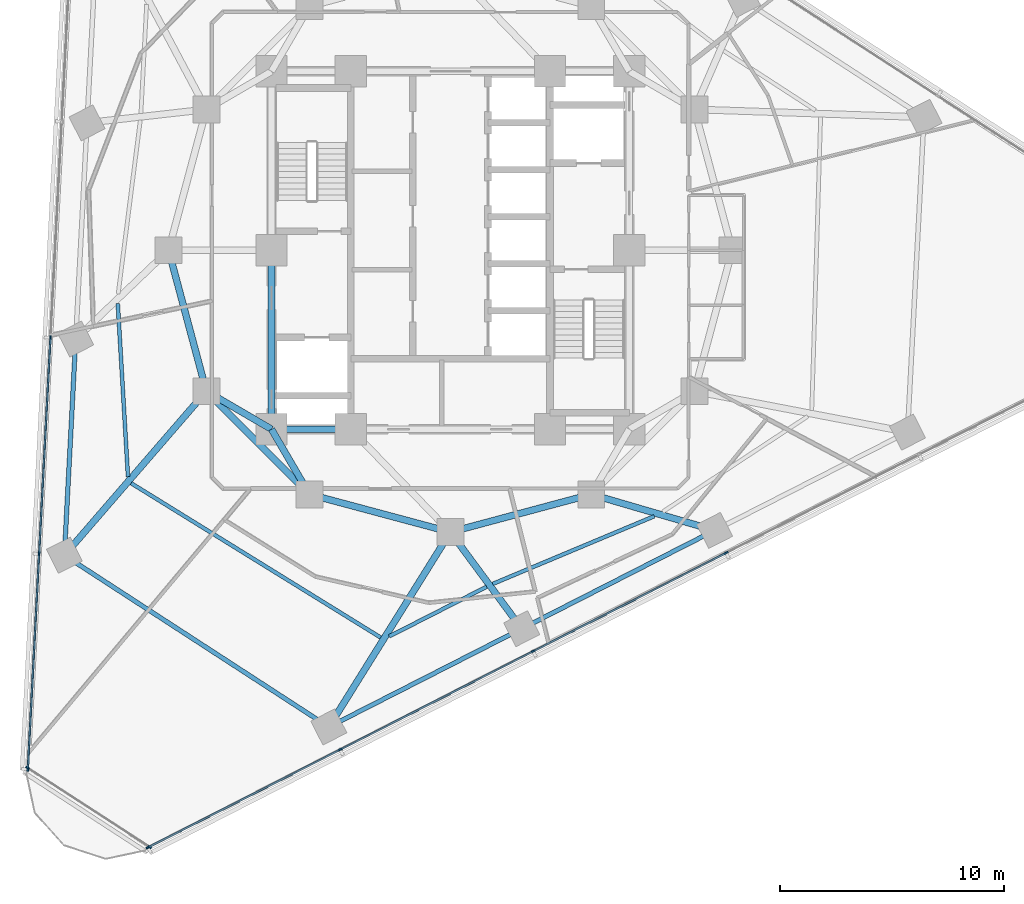
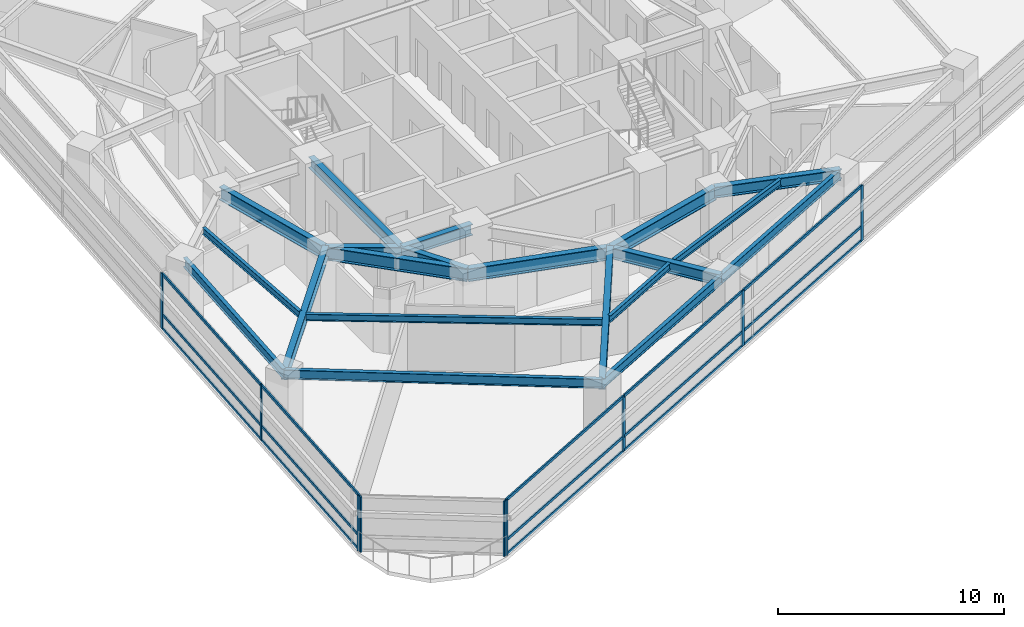
# One storey, part 2 of 14: 24 members, 20 beams, 3 elements without a shape of their own.
"""IFC4 building model written with IfcOpenShell, lengths in metres."""

from ifc_helpers import new_model, si_unit, direction, frame, origin, origin_2d, place, context, subcontext, project, spatial, rectangle, i_section, extrude, material, layer, layer_set, material_profile, profile_set, type_object, element, aggregate, save


model = new_model("IFC4")

# Units and contexts
model_context = context("Model", 3, precision=1e-05, world=origin(), true_north=direction((0.0, 1.0)))
body_context = subcontext(model_context, "Body", "Model", "MODEL_VIEW")
ifc_project = project(units=[si_unit("LENGTHUNIT", "METRE"), si_unit("AREAUNIT", "SQUARE_METRE"), si_unit("VOLUMEUNIT", "CUBIC_METRE"), si_unit("PLANEANGLEUNIT", "RADIAN"), si_unit("MASSUNIT", "GRAM", prefix="KILO")], contexts=[model_context])

# Site, building, storey
site_placement = place(None, origin())
site = spatial("IfcSite", under=ifc_project, at=site_placement, CompositionType="ELEMENT")
building_placement = place(site_placement, origin())
building = spatial("IfcBuilding", under=site, at=building_placement, Name="Terralouvre Media Tower", CompositionType="ELEMENT")
storey_placement = place(building_placement, frame((0.0, 0.0, 127.300048828125)))
storey = spatial("IfcBuildingStorey", under=building, at=storey_placement, Name="L32", CompositionType="ELEMENT", Elevation=127.300048828125)

# Beams
ifc_material_1 = material(Name="Structural steel S355J2", Category="steel")
ifc_material_profile_1 = material_profile(ifc_material_1, i_section(OverallWidth=0.169921875, OverallDepth=0.360107421875, WebThickness=0.008056640625, FlangeThickness=0.0126953125, at=origin_2d()), Name="IPE 360")
ifc_profile_set_1 = profile_set([ifc_material_profile_1], Name="Structural steel S355J2")
beam_type_1 = type_object("IfcBeamType", Name="Composite Floor Joist J-IPE360 (IPE 360)", PredefinedType="JOIST", material=ifc_profile_set_1)
beam_1_placement = place(storey_placement, frame((-14.872314453125, -2.377197265625, 3.320068359375), z_axis=(0.058878824525, -0.998265137137, 0.0), x_axis=(0.998265137137, 0.058878824525, 0.0)))
element("IfcBeam", 1, at=beam_1_placement, inside=storey, type_object=beam_type_1, Name="L32 Framing Beam JT-L32-01", PredefinedType="JOIST", context=body_context, shape_type="SweptSolid", body=[
    extrude(i_section(OverallWidth=0.169921875, OverallDepth=0.360107421875, WebThickness=0.008056640625, FlangeThickness=0.0126953125, at=origin_2d()), origin(), (0.0, 0.0, 1.0), 7.758056640625),
])
beam_2_placement = place(storey_placement, frame((-14.275390625, -10.413330078125, 3.320068359375), z_axis=(0.850512534705, -0.525954777818, 0.0), x_axis=(0.525954777818, 0.850512534705, 0.0)))
element("IfcBeam", 2, at=beam_2_placement, inside=storey, type_object=beam_type_1, Name="L32 Framing Beam JT-L32-02", PredefinedType="JOIST", context=body_context, shape_type="SweptSolid", body=[
    extrude(i_section(OverallWidth=0.169921875, OverallDepth=0.360107421875, WebThickness=0.008056640625, FlangeThickness=0.0126953125, at=origin_2d()), origin(), (0.0, 0.0, 1.0), 13.118896484375),
])
beam_3_placement = place(storey_placement, frame((-2.732666015625, -17.260986328125, 3.320068359375), z_axis=(0.891002879415, 0.453997652939, 0.0), x_axis=(-0.453997652939, 0.891002879415, 0.0)))
element("IfcBeam", 3, at=beam_3_placement, inside=storey, type_object=beam_type_1, Name="L32 Framing Beam JT-L32-03", PredefinedType="JOIST", context=body_context, shape_type="SweptSolid", body=[
    extrude(i_section(OverallWidth=0.169921875, OverallDepth=0.360107421875, WebThickness=0.008056640625, FlangeThickness=0.0126953125, at=origin_2d()), origin(), (0.0, 0.0, 1.0), 4.885009765625),
])
beam_4_placement = place(storey_placement, frame((1.89404296875, -14.916259765625, 3.320068359375), z_axis=(0.922254640504, 0.386582951085, 0.0), x_axis=(-0.386582951085, 0.922254640504, 0.0)))
element("IfcBeam", 4, at=beam_4_placement, inside=storey, type_object=beam_type_1, Name="L32 Framing Beam JT-L32-04", PredefinedType="JOIST", context=body_context, shape_type="SweptSolid", body=[
    extrude(i_section(OverallWidth=0.169921875, OverallDepth=0.360107421875, WebThickness=0.008056640625, FlangeThickness=0.0126953125, at=origin_2d()), origin(), (0.0, 0.0, 1.0), 7.8291015625),
])

# Curtain wall, members
ifc_material_2 = material(Name="Low-iron laminated double glazing with solar-control coating", Category="glass")
ifc_layer_1 = layer(ifc_material_2, 0.1650390625, Name="Production Studio Tower Curtain Wall CW-03")
ifc_layer_set_1 = layer_set([ifc_layer_1], Name="Low-iron laminated double glazing with solar-control coating")
curtain_wall_type_1 = type_object("IfcCurtainWallType", Name="Production Studio Tower Curtain Wall CW-03", PredefinedType="NOTDEFINED", material=ifc_layer_set_1)
curtain_wall_1_placement = place(storey_placement, origin())
curtain_wall_1 = element("IfcCurtainWall", 5, at=curtain_wall_1_placement, inside=storey, type_object=curtain_wall_type_1, Name="L32 Facade Curtain Wall F0", PredefinedType="NOTDEFINED")
ifc_material_3 = material(Name="Anodised extruded aluminium 6063-T6", Category="aluminium")
ifc_material_profile_2 = material_profile(ifc_material_3, rectangle(XDim=0.074951171875, YDim=0.14990234375, at=origin_2d()), Name="ALU 75x150")
ifc_profile_set_2 = profile_set([ifc_material_profile_2], Name="Anodised extruded aluminium 6063-T6")
member_type_1 = type_object("IfcMemberType", Name="Curtain-Wall Horizontal Transom TR-150", PredefinedType="USERDEFINED", material=ifc_profile_set_2)
member_1_placement = place(storey_placement, frame((-13.481689453125, -26.680419921875, 0.037353515625), z_axis=(0.891007557644, 0.453988471462, 0.0), x_axis=(-0.453988471462, 0.891007557644, 0.0)))
member_1 = element("IfcMember", 6, at=member_1_placement, type_object=member_type_1, Name="CW-03 transom 1.1", ObjectType="TRANSOM", PredefinedType="USERDEFINED", context=body_context, shape_type="SweptSolid", body=[
    extrude(rectangle(XDim=0.074951171875, YDim=0.14990234375, at=origin_2d()), origin(), (0.0, 0.0, 1.0), 9.5673828125),
])
member_2_placement = place(storey_placement, frame((-13.481689453125, -26.680419921875, 0.800048828125), z_axis=(0.891007557644, 0.453988471462, 0.0), x_axis=(-0.453988471462, 0.891007557644, 0.0)))
member_2 = element("IfcMember", 7, at=member_2_placement, type_object=member_type_1, Name="CW-03 transom 1.2", ObjectType="TRANSOM", PredefinedType="USERDEFINED", context=body_context, shape_type="SweptSolid", body=[
    extrude(rectangle(XDim=0.074951171875, YDim=0.14990234375, at=origin_2d()), origin(), (0.0, 0.0, 1.0), 9.5673828125),
])
member_3_placement = place(storey_placement, frame((-13.481689453125, -26.680419921875, 2.96240234375), z_axis=(0.891007557644, 0.453988471462, 0.0), x_axis=(-0.453988471462, 0.891007557644, 0.0)))
member_3 = element("IfcMember", 8, at=member_3_placement, type_object=member_type_1, Name="CW-03 transom 1.3", ObjectType="TRANSOM", PredefinedType="USERDEFINED", context=body_context, shape_type="SweptSolid", body=[
    extrude(rectangle(XDim=0.074951171875, YDim=0.14990234375, at=origin_2d()), origin(), (0.0, 0.0, 1.0), 9.5673828125),
])
member_4_placement = place(storey_placement, frame((-4.89013671875, -22.302978515625, 0.037353515625), z_axis=(0.891005548508, 0.453992414615, 0.0), x_axis=(-0.453992414615, 0.891005548508, 0.0)))
member_4 = element("IfcMember", 9, at=member_4_placement, type_object=member_type_1, Name="CW-03 transom 2.1", ObjectType="TRANSOM", PredefinedType="USERDEFINED", context=body_context, shape_type="SweptSolid", body=[
    extrude(rectangle(XDim=0.074951171875, YDim=0.14990234375, at=origin_2d()), origin(), (0.0, 0.0, 1.0), 9.60498046875),
])
member_5_placement = place(storey_placement, frame((-4.89013671875, -22.302978515625, 0.800048828125), z_axis=(0.891005548508, 0.453992414615, 0.0), x_axis=(-0.453992414615, 0.891005548508, 0.0)))
member_5 = element("IfcMember", 10, at=member_5_placement, type_object=member_type_1, Name="CW-03 transom 2.2", ObjectType="TRANSOM", PredefinedType="USERDEFINED", context=body_context, shape_type="SweptSolid", body=[
    extrude(rectangle(XDim=0.074951171875, YDim=0.14990234375, at=origin_2d()), origin(), (0.0, 0.0, 1.0), 9.60498046875),
])
member_6_placement = place(storey_placement, frame((-4.89013671875, -22.302978515625, 2.96240234375), z_axis=(0.891005548508, 0.453992414615, 0.0), x_axis=(-0.453992414615, 0.891005548508, 0.0)))
member_6 = element("IfcMember", 11, at=member_6_placement, type_object=member_type_1, Name="CW-03 transom 2.3", ObjectType="TRANSOM", PredefinedType="USERDEFINED", context=body_context, shape_type="SweptSolid", body=[
    extrude(rectangle(XDim=0.074951171875, YDim=0.14990234375, at=origin_2d()), origin(), (0.0, 0.0, 1.0), 9.60498046875),
])
member_7_placement = place(storey_placement, frame((3.734619140625, -17.908203125, 0.037353515625), z_axis=(0.891005548508, 0.453992414615, 0.0), x_axis=(-0.453992414615, 0.891005548508, 0.0)))
member_7 = element("IfcMember", 12, at=member_7_placement, type_object=member_type_1, Name="CW-03 transom 3.1", ObjectType="TRANSOM", PredefinedType="USERDEFINED", context=body_context, shape_type="SweptSolid", body=[
    extrude(rectangle(XDim=0.074951171875, YDim=0.14990234375, at=origin_2d()), origin(), (0.0, 0.0, 1.0), 9.60498046875),
])
member_8_placement = place(storey_placement, frame((3.734619140625, -17.908203125, 0.800048828125), z_axis=(0.891005548508, 0.453992414615, 0.0), x_axis=(-0.453992414615, 0.891005548508, 0.0)))
member_8 = element("IfcMember", 13, at=member_8_placement, type_object=member_type_1, Name="CW-03 transom 3.2", ObjectType="TRANSOM", PredefinedType="USERDEFINED", context=body_context, shape_type="SweptSolid", body=[
    extrude(rectangle(XDim=0.074951171875, YDim=0.14990234375, at=origin_2d()), origin(), (0.0, 0.0, 1.0), 9.60498046875),
])
member_9_placement = place(storey_placement, frame((3.734619140625, -17.908203125, 2.96240234375), z_axis=(0.891005548508, 0.453992414615, 0.0), x_axis=(-0.453992414615, 0.891005548508, 0.0)))
member_9 = element("IfcMember", 14, at=member_9_placement, type_object=member_type_1, Name="CW-03 transom 3.3", ObjectType="TRANSOM", PredefinedType="USERDEFINED", context=body_context, shape_type="SweptSolid", body=[
    extrude(rectangle(XDim=0.074951171875, YDim=0.14990234375, at=origin_2d()), origin(), (0.0, 0.0, 1.0), 9.60498046875),
])

curtain_wall_2_placement = place(storey_placement, origin())
curtain_wall_2 = element("IfcCurtainWall", 15, at=curtain_wall_2_placement, inside=storey, type_object=curtain_wall_type_1, Name="L32 Facade Curtain Wall F2", PredefinedType="NOTDEFINED")
member_10_placement = place(storey_placement, frame((-17.883056640625, -3.947021484375, 0.037353515625), z_axis=(-0.052336036535, -0.998629530547, 0.0), x_axis=(0.998629530547, -0.052336036535, 0.0)))
member_10 = element("IfcMember", 16, at=member_10_placement, type_object=member_type_1, Name="CW-03 transom 4.1", ObjectType="TRANSOM", PredefinedType="USERDEFINED", context=body_context, shape_type="SweptSolid", body=[
    extrude(rectangle(XDim=0.074951171875, YDim=0.14990234375, at=origin_2d()), origin(), (0.0, 0.0, 1.0), 9.60498046875),
])
member_11_placement = place(storey_placement, frame((-17.883056640625, -3.947021484375, 0.800048828125), z_axis=(-0.052336036535, -0.998629530547, 0.0), x_axis=(0.998629530547, -0.052336036535, 0.0)))
member_11 = element("IfcMember", 17, at=member_11_placement, type_object=member_type_1, Name="CW-03 transom 4.2", ObjectType="TRANSOM", PredefinedType="USERDEFINED", context=body_context, shape_type="SweptSolid", body=[
    extrude(rectangle(XDim=0.074951171875, YDim=0.14990234375, at=origin_2d()), origin(), (0.0, 0.0, 1.0), 9.60498046875),
])
member_12_placement = place(storey_placement, frame((-17.883056640625, -3.947021484375, 2.96240234375), z_axis=(-0.052336036535, -0.998629530547, 0.0), x_axis=(0.998629530547, -0.052336036535, 0.0)))
member_12 = element("IfcMember", 18, at=member_12_placement, type_object=member_type_1, Name="CW-03 transom 4.3", ObjectType="TRANSOM", PredefinedType="USERDEFINED", context=body_context, shape_type="SweptSolid", body=[
    extrude(rectangle(XDim=0.074951171875, YDim=0.14990234375, at=origin_2d()), origin(), (0.0, 0.0, 1.0), 9.60498046875),
])
member_13_placement = place(storey_placement, frame((-18.3896484375, -13.61376953125, 0.037353515625), z_axis=(-0.052336504837, -0.998629506004, 0.0), x_axis=(0.998629506004, -0.052336504837, 0.0)))
member_13 = element("IfcMember", 19, at=member_13_placement, type_object=member_type_1, Name="CW-03 transom 5.1", ObjectType="TRANSOM", PredefinedType="USERDEFINED", context=body_context, shape_type="SweptSolid", body=[
    extrude(rectangle(XDim=0.074951171875, YDim=0.14990234375, at=origin_2d()), origin(), (0.0, 0.0, 1.0), 9.567626953125),
])
member_14_placement = place(storey_placement, frame((-18.3896484375, -13.61376953125, 0.800048828125), z_axis=(-0.052336504837, -0.998629506004, 0.0), x_axis=(0.998629506004, -0.052336504837, 0.0)))
member_14 = element("IfcMember", 20, at=member_14_placement, type_object=member_type_1, Name="CW-03 transom 5.2", ObjectType="TRANSOM", PredefinedType="USERDEFINED", context=body_context, shape_type="SweptSolid", body=[
    extrude(rectangle(XDim=0.074951171875, YDim=0.14990234375, at=origin_2d()), origin(), (0.0, 0.0, 1.0), 9.567626953125),
])
member_15_placement = place(storey_placement, frame((-18.3896484375, -13.61376953125, 2.96240234375), z_axis=(-0.052336504837, -0.998629506004, 0.0), x_axis=(0.998629506004, -0.052336504837, 0.0)))
member_15 = element("IfcMember", 21, at=member_15_placement, type_object=member_type_1, Name="CW-03 transom 5.3", ObjectType="TRANSOM", PredefinedType="USERDEFINED", context=body_context, shape_type="SweptSolid", body=[
    extrude(rectangle(XDim=0.074951171875, YDim=0.14990234375, at=origin_2d()), origin(), (0.0, 0.0, 1.0), 9.567626953125),
])

# Member
ifc_material_4 = material(Name="Anodised extruded aluminium 6063-T6", Category="aluminium")
ifc_material_profile_3 = material_profile(ifc_material_4, rectangle(XDim=0.074951171875, YDim=0.179931640625, at=origin_2d()), Name="ALU 75x180")
ifc_profile_set_3 = profile_set([ifc_material_profile_3], Name="Anodised extruded aluminium 6063-T6")
member_type_2 = type_object("IfcMemberType", Name="Curtain-Wall Vertical Mullion ML-180", PredefinedType="MULLION", material=ifc_profile_set_3)
member_16_placement = place(storey_placement, frame((-13.51513671875, -26.697509765625, 0.0), z_axis=(0.0, 0.0, 1.0), x_axis=(-0.4539905449, 0.891006501178, 0.0)))
member_16 = element("IfcMember", 22, at=member_16_placement, type_object=member_type_2, Name="CW-03 mullion 1", PredefinedType="MULLION", context=body_context, shape_type="SweptSolid", body=[
    extrude(rectangle(XDim=0.074951171875, YDim=0.179931640625, at=origin_2d()), origin(), (0.0, 0.0, 1.0), 3.0),
])

member_17_placement = place(storey_placement, frame((-4.923583984375, -22.31982421875, 0.0), z_axis=(0.0, 0.0, 1.0), x_axis=(-0.4539905449, 0.891006501178, 0.0)))
member_17 = element("IfcMember", 23, at=member_17_placement, type_object=member_type_2, Name="CW-03 mullion 2", PredefinedType="MULLION", context=body_context, shape_type="SweptSolid", body=[
    extrude(rectangle(XDim=0.074951171875, YDim=0.179931640625, at=origin_2d()), origin(), (0.0, 0.0, 1.0), 3.0),
])

member_18_placement = place(storey_placement, frame((3.701416015625, -17.92529296875, 0.0), z_axis=(0.0, 0.0, 1.0), x_axis=(-0.4539905449, 0.891006501178, 0.0)))
member_18 = element("IfcMember", 24, at=member_18_placement, type_object=member_type_2, Name="CW-03 mullion 3", PredefinedType="MULLION", context=body_context, shape_type="SweptSolid", body=[
    extrude(rectangle(XDim=0.074951171875, YDim=0.179931640625, at=origin_2d()), origin(), (0.0, 0.0, 1.0), 3.0),
])

member_19_placement = place(storey_placement, frame((12.326171875, -13.530517578125, 0.0), z_axis=(0.0, 0.0, 1.0), x_axis=(-0.4539905449, 0.891006501178, 0.0)))
member_19 = element("IfcMember", 25, at=member_19_placement, type_object=member_type_2, Name="CW-03 mullion 4", PredefinedType="MULLION", context=body_context, shape_type="SweptSolid", body=[
    extrude(rectangle(XDim=0.074951171875, YDim=0.179931640625, at=origin_2d()), origin(), (0.0, 0.0, 1.0), 3.0),
])

aggregate(curtain_wall_1, [member_16, member_17, member_18, member_19, member_1, member_2, member_3, member_4, member_5, member_6, member_7, member_8, member_9])

member_20_placement = place(storey_placement, frame((-17.881103515625, -3.909423828125, 0.0), z_axis=(0.0, 0.0, 1.0), x_axis=(0.998629535089, -0.052335949864, 0.0)))
member_20 = element("IfcMember", 26, at=member_20_placement, type_object=member_type_2, Name="CW-03 mullion 4", PredefinedType="MULLION", context=body_context, shape_type="SweptSolid", body=[
    extrude(rectangle(XDim=0.074951171875, YDim=0.179931640625, at=origin_2d()), origin(), (0.0, 0.0, 1.0), 3.0),
])

member_21_placement = place(storey_placement, frame((-18.3876953125, -13.576171875, 0.0), z_axis=(0.0, 0.0, 1.0), x_axis=(0.998629535089, -0.052335949864, 0.0)))
member_21 = element("IfcMember", 27, at=member_21_placement, type_object=member_type_2, Name="CW-03 mullion 5", PredefinedType="MULLION", context=body_context, shape_type="SweptSolid", body=[
    extrude(rectangle(XDim=0.074951171875, YDim=0.179931640625, at=origin_2d()), origin(), (0.0, 0.0, 1.0), 3.0),
])

member_22_placement = place(storey_placement, frame((-18.892333984375, -23.20556640625, 0.0), z_axis=(0.0, 0.0, 1.0), x_axis=(0.998629535089, -0.052335949864, 0.0)))
member_22 = element("IfcMember", 28, at=member_22_placement, type_object=member_type_2, Name="CW-03 mullion 6", PredefinedType="MULLION", context=body_context, shape_type="SweptSolid", body=[
    extrude(rectangle(XDim=0.074951171875, YDim=0.179931640625, at=origin_2d()), origin(), (0.0, 0.0, 1.0), 3.0),
])

aggregate(curtain_wall_2, [member_20, member_21, member_22, member_10, member_11, member_12, member_13, member_14, member_15])

# Curtain wall, members
ifc_material_5 = material(Name="Low-iron laminated double glazing with solar-control coating", Category="glass")
ifc_layer_2 = layer(ifc_material_5, 0.1650390625, Name="Rounded Wind-Corner Curved Glazing CW-04")
ifc_layer_set_2 = layer_set([ifc_layer_2], Name="Low-iron laminated double glazing with solar-control coating")
curtain_wall_type_2 = type_object("IfcCurtainWallType", Name="Rounded Wind-Corner Curved Glazing CW-04", PredefinedType="NOTDEFINED", material=ifc_layer_set_2)
curtain_wall_3_placement = place(storey_placement, origin())
curtain_wall_3 = element("IfcCurtainWall", 29, at=curtain_wall_3_placement, inside=storey, type_object=curtain_wall_type_2, Name="L32 Rounded Wind-Corner Curtain Wall C0", PredefinedType="NOTDEFINED")
member_23_placement = place(storey_placement, frame((-18.90625, -23.1396484375, 0.0), z_axis=(0.0, 0.0, 1.0), x_axis=(0.544639308152, 0.838670390568, 0.0)))
member_23 = element("IfcMember", 30, at=member_23_placement, type_object=member_type_2, Name="CW-04 mullion 1", PredefinedType="MULLION", context=body_context, shape_type="SweptSolid", body=[
    extrude(rectangle(XDim=0.074951171875, YDim=0.179931640625, at=origin_2d()), origin(), (0.0, 0.0, 1.0), 3.0),
])
member_24_placement = place(storey_placement, frame((-13.44921875, -26.68359375, 0.0), z_axis=(0.0, 0.0, 1.0), x_axis=(0.544639308152, 0.838670390568, 0.0)))
member_24 = element("IfcMember", 31, at=member_24_placement, type_object=member_type_2, Name="CW-04 mullion 2", PredefinedType="MULLION", context=body_context, shape_type="SweptSolid", body=[
    extrude(rectangle(XDim=0.074951171875, YDim=0.179931640625, at=origin_2d()), origin(), (0.0, 0.0, 1.0), 3.0),
])
aggregate(curtain_wall_3, [member_23, member_24])

# Beams
ifc_material_6 = material(Name="Structural steel S355J2", Category="steel")
ifc_material_profile_4 = material_profile(ifc_material_6, i_section(OverallWidth=0.199951171875, OverallDepth=0.5, WebThickness=0.01025390625, FlangeThickness=0.01611328125, at=origin_2d()), Name="IPE 500")
ifc_profile_set_4 = profile_set([ifc_material_profile_4], Name="Structural steel S355J2")
beam_type_2 = type_object("IfcBeamType", Name="Perimeter Spandrel Beam SPB-500 (IPE 500)", PredefinedType="SPANDREL", material=ifc_profile_set_4)
beam_5_placement = place(storey_placement, frame((-16.75244140625, -3.96875, 3.25), z_axis=(-0.052333792648, -0.998629648141, 0.0), x_axis=(0.998629648141, -0.052333792648, 0.0)))
element("IfcBeam", 32, at=beam_5_placement, inside=storey, type_object=beam_type_2, Name="L32 Framing Beam BM-L32-PR01", PredefinedType="SPANDREL", context=body_context, shape_type="SweptSolid", body=[
    extrude(i_section(OverallWidth=0.199951171875, OverallDepth=0.5, WebThickness=0.01025390625, FlangeThickness=0.01611328125, at=origin_2d()), origin(), (0.0, 0.0, 1.0), 9.679931640625),
])
beam_6_placement = place(storey_placement, frame((-17.259033203125, -13.635498046875, 3.25), z_axis=(0.838675019369, -0.544632180363, 0.0), x_axis=(0.544632180363, 0.838675019369, 0.0)))
element("IfcBeam", 33, at=beam_6_placement, inside=storey, type_object=beam_type_2, Name="L32 Framing Beam BM-L32-PR02", PredefinedType="SPANDREL", context=body_context, shape_type="SweptSolid", body=[
    extrude(i_section(OverallWidth=0.199951171875, OverallDepth=0.5, WebThickness=0.01025390625, FlangeThickness=0.01611328125, at=origin_2d()), origin(), (0.0, 0.0, 1.0), 14.0966796875),
])
beam_7_placement = place(storey_placement, frame((-5.4365234375, -21.31298828125, 3.239990234375), z_axis=(0.891006580855, 0.453990388524, 0.0), x_axis=(-0.453990388524, 0.891006580855, 0.0)))
element("IfcBeam", 34, at=beam_7_placement, inside=storey, type_object=beam_type_2, Name="L32 Framing Beam BM-L32-PR03", PredefinedType="SPANDREL", context=body_context, shape_type="SweptSolid", body=[
    extrude(i_section(OverallWidth=0.199951171875, OverallDepth=0.5, WebThickness=0.01025390625, FlangeThickness=0.01611328125, at=origin_2d()), origin(), (0.0, 0.0, 1.0), 9.6796875),
])
beam_8_placement = place(storey_placement, frame((3.188232421875, -16.91845703125, 3.239990234375), z_axis=(0.891001576959, 0.454000209093, 0.0), x_axis=(-0.454000209093, 0.891001576959, 0.0)))
element("IfcBeam", 35, at=beam_8_placement, inside=storey, type_object=beam_type_2, Name="L32 Framing Beam BM-L32-PR04", PredefinedType="SPANDREL", context=body_context, shape_type="SweptSolid", body=[
    extrude(i_section(OverallWidth=0.199951171875, OverallDepth=0.5, WebThickness=0.01025390625, FlangeThickness=0.01611328125, at=origin_2d()), origin(), (0.0, 0.0, 1.0), 9.68017578125),
])
ifc_material_7 = material(Name="Structural steel S460M", Category="steel")
ifc_material_profile_5 = material_profile(ifc_material_7, i_section(OverallWidth=0.300048828125, OverallDepth=0.60009765625, WebThickness=0.015380859375, FlangeThickness=0.030029296875, at=origin_2d()), Name="HEB 600")
ifc_profile_set_5 = profile_set([ifc_material_profile_5], Name="Structural steel S460M")
beam_type_3 = type_object("IfcBeamType", Name="Primary Floor Girder B-HEB600 (HEB 600)", PredefinedType="BEAM", material=ifc_profile_set_5)
beam_9_placement = place(storey_placement, frame((-8.0, -8.0, 3.199951171875), z_axis=(1.0, 0.0, 0.0), x_axis=(0.0, 1.0, 0.0)))
element("IfcBeam", 36, at=beam_9_placement, inside=storey, type_object=beam_type_3, Name="L32 Framing Beam BM-L32-CPR01", PredefinedType="BEAM", context=body_context, shape_type="SweptSolid", body=[
    extrude(i_section(OverallWidth=0.300048828125, OverallDepth=0.60009765625, WebThickness=0.015380859375, FlangeThickness=0.030029296875, at=origin_2d()), origin(), (0.0, 0.0, 1.0), 3.550048828125),
])
beam_10_placement = place(storey_placement, frame((-8.0, 0.0, 3.199951171875), z_axis=(0.0, -1.0, 0.0), x_axis=(1.0, 0.0, 0.0)))
element("IfcBeam", 37, at=beam_10_placement, inside=storey, type_object=beam_type_3, Name="L32 Framing Beam BM-L32-CPR10", PredefinedType="BEAM", context=body_context, shape_type="SweptSolid", body=[
    extrude(i_section(OverallWidth=0.300048828125, OverallDepth=0.60009765625, WebThickness=0.015380859375, FlangeThickness=0.030029296875, at=origin_2d()), origin(), (0.0, 0.0, 1.0), 8.0),
])
beam_11_placement = place(storey_placement, frame((-10.911865234375, -6.300048828125, 3.199951171875), z_axis=(-0.654328588351, -0.756210353319, 0.0), x_axis=(0.756210353319, -0.654328588351, 0.0)))
element("IfcBeam", 38, at=beam_11_placement, inside=storey, type_object=beam_type_3, Name="L32 Framing Beam BM-L32-RD02", PredefinedType="BEAM", context=body_context, shape_type="SweptSolid", body=[
    extrude(i_section(OverallWidth=0.300048828125, OverallDepth=0.60009765625, WebThickness=0.015380859375, FlangeThickness=0.030029296875, at=origin_2d()), origin(), (0.0, 0.0, 1.0), 9.7001953125),
])
beam_12_placement = place(storey_placement, frame((0.0, -12.60009765625, 3.199951171875), z_axis=(-0.529366283505, -0.848393386282, 0.0), x_axis=(0.848393386282, -0.529366283505, 0.0)))
element("IfcBeam", 39, at=beam_12_placement, inside=storey, type_object=beam_type_3, Name="L32 Framing Beam BM-L32-RD03", PredefinedType="BEAM", context=body_context, shape_type="SweptSolid", body=[
    extrude(i_section(OverallWidth=0.300048828125, OverallDepth=0.60009765625, WebThickness=0.015380859375, FlangeThickness=0.030029296875, at=origin_2d()), origin(), (0.0, 0.0, 1.0), 10.269775390625),
])
beam_13_placement = place(storey_placement, frame((0.0, -12.60009765625, 3.18994140625), z_axis=(0.593957444229, -0.804496460182, 0.0), x_axis=(0.804496460182, 0.593957444229, 0.0)))
element("IfcBeam", 40, at=beam_13_placement, inside=storey, type_object=beam_type_3, Name="L32 Framing Beam BM-L32-RD04", PredefinedType="BEAM", context=body_context, shape_type="SweptSolid", body=[
    extrude(i_section(OverallWidth=0.300048828125, OverallDepth=0.60009765625, WebThickness=0.015380859375, FlangeThickness=0.030029296875, at=origin_2d()), origin(), (0.0, 0.0, 1.0), 5.36767578125),
])
beam_14_placement = place(storey_placement, frame((6.300048828125, -10.911865234375, 3.199951171875), z_axis=(0.959821765834, -0.280610366577, 0.0), x_axis=(0.280610366577, 0.959821765834, 0.0)))
element("IfcBeam", 41, at=beam_14_placement, inside=storey, type_object=beam_type_3, Name="L32 Framing Beam BM-L32-RD05", PredefinedType="BEAM", context=body_context, shape_type="SweptSolid", body=[
    extrude(i_section(OverallWidth=0.300048828125, OverallDepth=0.60009765625, WebThickness=0.015380859375, FlangeThickness=0.030029296875, at=origin_2d()), origin(), (0.0, 0.0, 1.0), 5.743896484375),
])
ifc_material_8 = material(Name="Structural steel S460M", Category="steel")
ifc_material_profile_6 = material_profile(ifc_material_8, i_section(OverallWidth=0.300048828125, OverallDepth=0.699951171875, WebThickness=0.01708984375, FlangeThickness=0.031982421875, at=origin_2d()), Name="HEB 700")
ifc_profile_set_6 = profile_set([ifc_material_profile_6], Name="Structural steel S460M")
beam_type_4 = type_object("IfcBeamType", Name="Primary Floor Girder B-HEB700 (HEB 700)", PredefinedType="BEAM", material=ifc_profile_set_6)
beam_15_placement = place(storey_placement, frame((-10.911865234375, -6.300048828125, 3.14990234375), z_axis=(0.707106781187, -0.707106781187, 0.0), x_axis=(0.707106781187, 0.707106781187, 0.0)))
element("IfcBeam", 42, at=beam_15_placement, inside=storey, type_object=beam_type_4, Name="L32 Framing Beam BM-L32-MR01", PredefinedType="BEAM", context=body_context, shape_type="SweptSolid", body=[
    extrude(i_section(OverallWidth=0.300048828125, OverallDepth=0.699951171875, WebThickness=0.01708984375, FlangeThickness=0.031982421875, at=origin_2d()), origin(), (0.0, 0.0, 1.0), 6.52197265625),
])
for number, where, z_axis, x_axis, name in (
    (43, (-6.300048828125, -10.911865234375, 3.14990234375), (0.965920481897, -0.258838989821, 0.0), (0.258838989821, 0.965920481897, 0.0), "L32 Framing Beam BM-L32-MR02"),
    (44, (0.0, -12.60009765625, 3.14990234375), (0.965920481897, 0.258838989821, 0.0), (-0.258838989821, 0.965920481897, 0.0), "L32 Framing Beam BM-L32-MR03"),
    (45, (-12.60009765625, 0.0, 3.14990234375), (0.258838989821, -0.965920481897, 0.0), (0.965920481897, 0.258838989821, 0.0), "L32 Framing Beam BM-L32-MR12"),
):
    element("IfcBeam", number, at=place(storey_placement, frame(where, z_axis=z_axis, x_axis=x_axis)), inside=storey, type_object=beam_type_4, Name=name, PredefinedType="BEAM", context=body_context, shape_type="SweptSolid", body=[
        extrude(i_section(OverallWidth=0.300048828125, OverallDepth=0.699951171875, WebThickness=0.01708984375, FlangeThickness=0.031982421875, at=origin_2d()), origin(), (0.0, 0.0, 1.0), 6.522216796875),
    ])
for number, where, z_axis, x_axis, name in (
    (46, (-8.0, -8.0, 3.14990234375), (-0.863602894532, 0.504172629717, 0.0), (-0.504172629717, -0.863602894532, 0.0), "L32 Framing Beam BM-L32-CM01"),
    (47, (-8.0, -8.0, 3.14990234375), (0.504172629717, -0.863602894532, 0.0), (0.863602894532, 0.504172629717, 0.0), "L32 Framing Beam BM-L32-CM02"),
):
    element("IfcBeam", number, at=place(storey_placement, frame(where, z_axis=z_axis, x_axis=x_axis)), inside=storey, type_object=beam_type_4, Name=name, PredefinedType="BEAM", context=body_context, shape_type="SweptSolid", body=[
        extrude(i_section(OverallWidth=0.300048828125, OverallDepth=0.699951171875, WebThickness=0.01708984375, FlangeThickness=0.031982421875, at=origin_2d()), origin(), (0.0, 0.0, 1.0), 3.371826171875),
    ])

save(model, "model.ifc")
